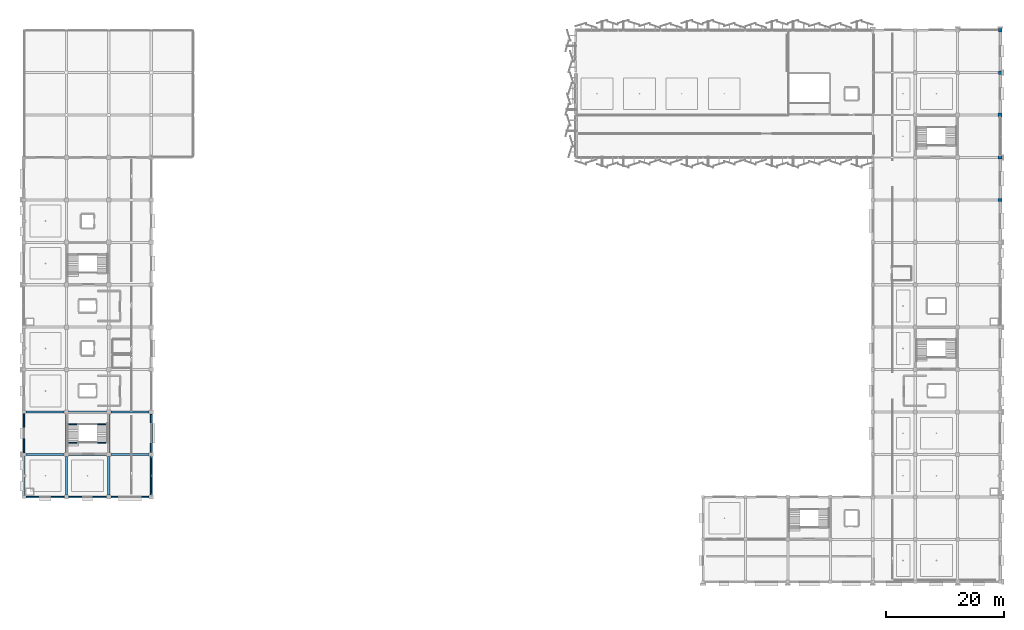
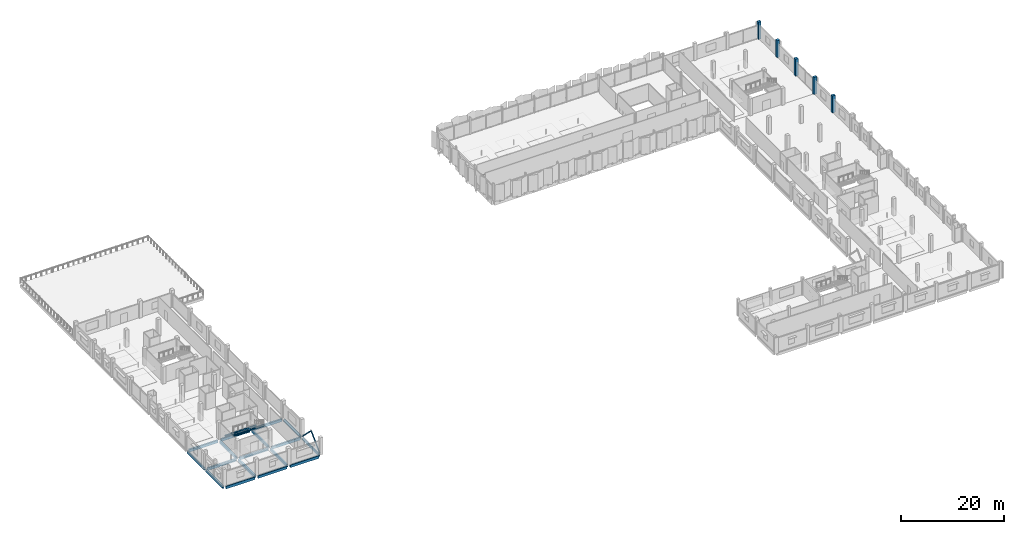
# One storey, part 8 of 77: 19 beams, 5 columns, 2 members.
"""IFC4 building model written with IfcOpenShell, lengths in metres."""

import ifcopenshell
import ifcopenshell.guid

model = None  # the IFC model being written
_history = None  # IfcOwnerHistory: only IFC2X3 demands one
_inside = {}  # id of a spatial element -> (the spatial element, [elements in it])
_under = {}  # id of a project, library or spatial element -> (it, [spatial elements below it])
_declared = {}  # id of a project -> (the project, [libraries it declares])
_typed = {}  # id of a type object -> (the type object, [elements of that type])
_made_of = {}  # id of a material, layer set ... -> (it, [elements and type objects made of it])


def new_model(schema):
    """Start an empty IFC model of exactly this schema.

    Asked for "IFC4X3", IfcOpenShell would pick the latest addendum, in which some entities
    have other attributes; the version numbers below select the first issue.
    IFC2X3 requires an IfcOwnerHistory on every rooted entity: one is made here for all.
    """
    global model, _history
    if schema == "IFC4X3":
        model = ifcopenshell.file(schema_version=(4, 3, 0, 0))
    else:
        model = ifcopenshell.file(schema=schema)
    _inside.clear()
    _under.clear()
    _declared.clear()
    _typed.clear()
    _made_of.clear()
    _history = None
    if model.schema == "IFC2X3":
        org = make("IfcOrganization", Name="unknown")
        user = make(
            "IfcPersonAndOrganization",
            ThePerson=make("IfcPerson", FamilyName="unknown"),
            TheOrganization=org,
        )
        app = make(
            "IfcApplication",
            ApplicationDeveloper=org,
            Version="unknown",
            ApplicationFullName="unknown",
            ApplicationIdentifier="unknown",
        )
        _history = make(
            "IfcOwnerHistory",
            OwningUser=user,
            OwningApplication=app,
            ChangeAction="ADDED",
            CreationDate=0,
        )
    return model


def make(cls, **values):
    """One entity of the class cls with the attributes given. An attribute that is None is left unset."""
    return model.create_entity(
        cls, **{name: value for name, value in values.items() if value is not None}
    )


def rooted(cls, **values):
    """An entity with a GlobalId (a new one), such as an element, a storey or a relation."""
    return make(cls, GlobalId=ifcopenshell.guid.new(), OwnerHistory=_history, **values)


def si_unit(unit_type, name, prefix=None):
    """IfcSIUnit, for example si_unit("LENGTHUNIT", "METRE", prefix="MILLI")."""
    return make("IfcSIUnit", UnitType=unit_type, Prefix=prefix, Name=name)


def assignment(units):
    """IfcUnitAssignment: the units of a project."""
    return None if units is None else make("IfcUnitAssignment", Units=units)


def point(xyz):
    """IfcCartesianPoint."""
    return None if xyz is None else make("IfcCartesianPoint", Coordinates=xyz)


def direction(xyz):
    """IfcDirection."""
    return None if xyz is None else make("IfcDirection", DirectionRatios=xyz)


def frame(location, z_axis=None, x_axis=None):
    """IfcAxis2Placement3D, a coordinate frame: its origin and axes. An axis left out is left unset."""
    return make(
        "IfcAxis2Placement3D",
        Location=point(location),
        Axis=direction(z_axis),
        RefDirection=direction(x_axis),
    )


def frame_2d(location, x_axis=None):
    """IfcAxis2Placement2D, a coordinate frame in the plane: its origin and x axis."""
    return make(
        "IfcAxis2Placement2D", Location=point(location), RefDirection=direction(x_axis)
    )


def origin():
    """The frame at (0, 0, 0) with its axes left unset."""
    return frame((0.0, 0.0, 0.0))


def origin_2d():
    """The frame at (0, 0) in the plane with its x axis left unset."""
    return frame_2d((0.0, 0.0))


def place(relative_to, where):
    """IfcLocalPlacement: puts the frame where relative to a parent placement (None: the world)."""
    return make(
        "IfcLocalPlacement", PlacementRelTo=relative_to, RelativePlacement=where
    )


def context(
    kind, dimensions, precision=None, world=None, true_north=None, identifier=None
):
    """IfcGeometricRepresentationContext, for example the 3D "Model" context."""
    return make(
        "IfcGeometricRepresentationContext",
        ContextIdentifier=identifier,
        ContextType=kind,
        CoordinateSpaceDimension=dimensions,
        Precision=precision,
        WorldCoordinateSystem=world,
        TrueNorth=true_north,
    )


def subcontext(parent, identifier, kind, view, scale=None):
    """IfcGeometricRepresentationSubContext, for example "Body" below "Model"."""
    return make(
        "IfcGeometricRepresentationSubContext",
        ContextIdentifier=identifier,
        ContextType=kind,
        ParentContext=parent,
        TargetScale=scale,
        TargetView=view,
    )


def project(units=None, contexts=None):
    """IfcProject with its units and contexts."""
    return rooted(
        "IfcProject",
        Name="project",
        RepresentationContexts=contexts,
        UnitsInContext=assignment(units),
    )


def spatial(cls, under=None, at=None, **own):
    """A site, building, storey or space (cls), placed at a placement, below another one or the project."""
    s = rooted(cls, ObjectPlacement=at, **own)
    if under is not None:
        _under.setdefault(under.id(), (under, []))[1].append(s)
    return s


def profile(cls, at=None, kind="AREA", **sizes):
    """A parametric profile (cls). Its sizes go by their IFC names, for example OverallWidth=200.0."""
    return make(cls, ProfileType=kind, Position=at, **sizes)


def rectangle(**sizes):
    """IfcRectangleProfileDef."""
    return profile("IfcRectangleProfileDef", **sizes)


def hollow_circle(**sizes):
    """IfcCircleHollowProfileDef."""
    return profile("IfcCircleHollowProfileDef", **sizes)


def extrude(swept, where, along, depth):
    """IfcExtrudedAreaSolid: the profile swept, set in the frame where, extruded along a direction by depth."""
    return make(
        "IfcExtrudedAreaSolid",
        SweptArea=swept,
        Position=where,
        ExtrudedDirection=direction(along),
        Depth=depth,
    )


def shape(context_of_items, identifier, shape_type, items):
    """IfcShapeRepresentation: the items that make up one representation, for example the "Body"."""
    return make(
        "IfcShapeRepresentation",
        ContextOfItems=context_of_items,
        RepresentationIdentifier=identifier,
        RepresentationType=shape_type,
        Items=items,
    )


def material(Name=None, Category=None):
    """IfcMaterial."""
    return make("IfcMaterial", Name=Name, Category=Category)


def material_profile(
    of_material, cross_section, Name=None, Category=None, Priority=None
):
    """IfcMaterialProfile: a cross section and its material."""
    return make(
        "IfcMaterialProfile",
        Name=Name,
        Material=of_material,
        Profile=cross_section,
        Priority=Priority,
        Category=Category,
    )


def profile_set(profiles, Name=None, composite=None):
    """IfcMaterialProfileSet."""
    return make(
        "IfcMaterialProfileSet",
        Name=Name,
        MaterialProfiles=profiles,
        CompositeProfile=composite,
    )


def made_of(thing, what):
    """Note that an element or type object is made of a material, layer set ...; save() writes the relation."""
    if what is not None:
        _made_of.setdefault(what.id(), (what, []))[1].append(thing)
    return thing


def type_object(cls, material=None, **own):
    """A type object (cls), such as IfcWallType, which elements share."""
    return made_of(rooted(cls, **own), material)


def element(
    cls,
    number,
    at=None,
    inside=None,
    cuts=None,
    type_object=None,
    material=None,
    context=None,
    identifier="Body",
    shape_type=None,
    held_by="IfcProductDefinitionShape",
    body=None,
    shapes=None,
    **own,
):
    """One element of the class cls, such as IfcWall. Its Tag is "e" and its number.

    at: its placement. inside: the storey or other place that contains it. cuts: it is an
    opening in that element (IfcRelVoidsElement). A single representation is given by context,
    identifier, shape_type and body (its items); several are given by shapes. held_by: the class
    of the entity that holds the representations. save() writes the other relations.
    """
    e = rooted(cls, Tag="e%d" % number, ObjectPlacement=at, **own)
    if body is not None:
        shapes = [shape(context, identifier, shape_type, body)]
    if shapes is not None:
        e.Representation = make(held_by, Representations=shapes)
    if inside is not None:
        _inside.setdefault(inside.id(), (inside, []))[1].append(e)
    if cuts is not None:
        rooted(
            "IfcRelVoidsElement", RelatingBuildingElement=cuts, RelatedOpeningElement=e
        )
    if type_object is not None:
        _typed.setdefault(type_object.id(), (type_object, []))[1].append(e)
    return made_of(e, material)


def aggregate(whole, parts):
    """IfcRelAggregates: a whole, such as a stair, and the parts it consists of."""
    return rooted("IfcRelAggregates", RelatingObject=whole, RelatedObjects=parts)


def save(model, path):
    """Write the relations noted so far, then the file.

    IfcRelAggregates (storeys below a building ...), IfcRelContainedInSpatialStructure (elements
    in a storey), IfcRelDefinesByType, IfcRelAssociatesMaterial and IfcRelDeclares: one each for
    every whole, place, type object, material and project.
    """
    for whole, parts in _under.values():
        aggregate(whole, parts)
    for where, things in _inside.values():
        rooted(
            "IfcRelContainedInSpatialStructure",
            RelatedElements=things,
            RelatingStructure=where,
        )
    for kind, things in _typed.values():
        rooted("IfcRelDefinesByType", RelatedObjects=things, RelatingType=kind)
    for what, things in _made_of.values():
        rooted("IfcRelAssociatesMaterial", RelatedObjects=things, RelatingMaterial=what)
    for by, libraries in _declared.values():
        rooted("IfcRelDeclares", RelatingContext=by, RelatedDefinitions=libraries)
    model.write(path)


model = new_model("IFC4")

# Units and contexts
model_context = context("Model", 3, precision=1e-05, world=origin(), true_north=direction((0.0, 1.0)))
body_context = subcontext(model_context, "Body", "Model", "MODEL_VIEW")
ifc_project = project(units=[si_unit("LENGTHUNIT", "METRE"), si_unit("AREAUNIT", "SQUARE_METRE"), si_unit("VOLUMEUNIT", "CUBIC_METRE"), si_unit("PLANEANGLEUNIT", "RADIAN"), si_unit("MASSUNIT", "GRAM", prefix="KILO")], contexts=[model_context])

# Site, building, storey
site_placement = place(None, origin())
site = spatial("IfcSite", under=ifc_project, at=site_placement, CompositionType="ELEMENT")
building_placement = place(site_placement, origin())
building = spatial("IfcBuilding", under=site, at=building_placement, Name="Kangsadwip Square Police Headquarters", CompositionType="ELEMENT")
storey_placement = place(building_placement, frame((0.0, 0.0, 17.550048828125)))
storey = spatial("IfcBuildingStorey", under=building, at=storey_placement, Name="L04", CompositionType="ELEMENT", Elevation=17.550048828125)

# Columns
ifc_material_1 = material(Name="Concrete M35 (35 MPa)", Category="concrete")
ifc_material_profile_1 = material_profile(ifc_material_1, rectangle(XDim=0.60009765625, YDim=0.60009765625, at=origin_2d()), Name="RC COL 600X600")
ifc_profile_set_1 = profile_set([ifc_material_profile_1], Name="Concrete M35 (35 MPa)")
column_type_1 = type_object("IfcColumnType", Name="RcCol600x600", PredefinedType="COLUMN", material=ifc_profile_set_1)
for number, where, z_axis, x_axis, name in (
    (1, (165.60009765625, 108.0, 0.0), (0.0, 0.0, 1.0), (1.0, 0.0, 0.0), "Column COL-L04-23-15"),
    (2, (165.60009765625, 115.199951171875, 0.0), (0.0, 0.0, 1.0), (1.0, 0.0, 0.0), "Column COL-L04-23-16"),
):
    element("IfcColumn", number, at=place(storey_placement, frame(where, z_axis=z_axis, x_axis=x_axis)), inside=storey, type_object=column_type_1, Name=name, PredefinedType="COLUMN", context=body_context, shape_type="SweptSolid", body=[
        extrude(rectangle(XDim=0.60009765625, YDim=0.60009765625, at=origin_2d()), origin(), (0.0, 0.0, 1.0), 4.050048828125),
    ])
ifc_material_2 = material(Name="Concrete M40 (40 MPa)", Category="concrete")
ifc_material_profile_2 = material_profile(ifc_material_2, rectangle(XDim=0.64990234375, YDim=0.64990234375, at=origin_2d()), Name="RC COL 650X650")
ifc_profile_set_2 = profile_set([ifc_material_profile_2], Name="Concrete M40 (40 MPa)")
column_type_2 = type_object("IfcColumnType", Name="RcCol650x650", PredefinedType="COLUMN", material=ifc_profile_set_2)
column_placement = place(storey_placement, frame((165.60009765625, 100.800048828125, 0.0), z_axis=(0.0, 0.0, 1.0), x_axis=(1.0, 0.0, 0.0)))
element("IfcColumn", 3, at=column_placement, inside=storey, type_object=column_type_2, Name="Column COL-L04-23-14", PredefinedType="COLUMN", context=body_context, shape_type="SweptSolid", body=[
    extrude(rectangle(XDim=0.64990234375, YDim=0.64990234375, at=origin_2d()), origin(), (0.0, 0.0, 1.0), 4.050048828125),
])
ifc_material_3 = material(Name="Concrete M35 (35 MPa)", Category="concrete")
ifc_material_profile_3 = material_profile(ifc_material_3, rectangle(XDim=0.5, YDim=0.699951171875, at=origin_2d()), Name="RC COL 700X500")
ifc_profile_set_3 = profile_set([ifc_material_profile_3], Name="Concrete M35 (35 MPa)")
column_type_3 = type_object("IfcColumnType", Name="RcCol700x500", PredefinedType="COLUMN", material=ifc_profile_set_3)
for number, where, z_axis, x_axis, name in (
    (4, (165.60009765625, 86.39990234375, 0.0), (0.0, 0.0, 1.0), (0.0, 1.0, 0.0), "Column COL-L04-23-12"),
    (5, (165.60009765625, 93.60009765625, 0.0), (0.0, 0.0, 1.0), (0.0, 1.0, 0.0), "Column COL-L04-23-13"),
):
    element("IfcColumn", number, at=place(storey_placement, frame(where, z_axis=z_axis, x_axis=x_axis)), inside=storey, type_object=column_type_3, Name=name, PredefinedType="COLUMN", context=body_context, shape_type="SweptSolid", body=[
        extrude(rectangle(XDim=0.5, YDim=0.699951171875, at=origin_2d()), origin(), (0.0, 0.0, 1.0), 4.050048828125),
    ])

# Beams
ifc_material_4 = material(Name="Concrete M35 (35 MPa)", Category="concrete")
ifc_material_profile_4 = material_profile(ifc_material_4, rectangle(XDim=0.35009765625, YDim=0.60009765625, at=origin_2d()), Name="RC BM 600X350")
ifc_profile_set_4 = profile_set([ifc_material_profile_4], Name="Concrete M35 (35 MPa)")
beam_type_1 = type_object("IfcBeamType", Name="RcBeam600x350", PredefinedType="BEAM", material=ifc_profile_set_4)
beam_1_placement = place(storey_placement, frame((0.39990234375, 43.199951171875, -0.5400390625), z_axis=(1.0, 0.0, 0.0), x_axis=(0.0, 1.0, 0.0)))
element("IfcBeam", 6, at=beam_1_placement, inside=storey, type_object=beam_type_1, Name="Beam BM-L04-X-00-06", PredefinedType="BEAM", context=body_context, shape_type="SweptSolid", body=[
    extrude(rectangle(XDim=0.35009765625, YDim=0.60009765625, at=origin_2d()), origin(), (0.0, 0.0, 1.0), 6.425048828125),
])
beam_2_placement = place(storey_placement, frame((7.574951171875, 43.199951171875, -0.5400390625), z_axis=(1.0, 0.0, 0.0), x_axis=(0.0, 1.0, 0.0)))
element("IfcBeam", 7, at=beam_2_placement, inside=storey, type_object=beam_type_1, Name="Beam BM-L04-X-01-06", PredefinedType="BEAM", context=body_context, shape_type="SweptSolid", body=[
    extrude(rectangle(XDim=0.35009765625, YDim=0.60009765625, at=origin_2d()), origin(), (0.0, 0.0, 1.0), 6.449951171875),
])
beam_3_placement = place(storey_placement, frame((14.77490234375, 43.199951171875, -0.5400390625), z_axis=(1.0, 0.0, 0.0), x_axis=(0.0, 1.0, 0.0)))
element("IfcBeam", 8, at=beam_3_placement, inside=storey, type_object=beam_type_1, Name="Beam BM-L04-X-02-06", PredefinedType="BEAM", context=body_context, shape_type="SweptSolid", body=[
    extrude(rectangle(XDim=0.35009765625, YDim=0.60009765625, at=origin_2d()), origin(), (0.0, 0.0, 1.0), 6.4501953125),
])
beam_4_placement = place(storey_placement, frame((0.39990234375, 50.39990234375, -0.5400390625), z_axis=(1.0, 0.0, 0.0), x_axis=(0.0, 1.0, 0.0)))
element("IfcBeam", 9, at=beam_4_placement, inside=storey, type_object=beam_type_1, Name="Beam BM-L04-X-00-07", PredefinedType="BEAM", context=body_context, shape_type="SweptSolid", body=[
    extrude(rectangle(XDim=0.35009765625, YDim=0.60009765625, at=origin_2d()), origin(), (0.0, 0.0, 1.0), 6.425048828125),
])
beam_5_placement = place(storey_placement, frame((7.574951171875, 50.39990234375, -0.5400390625), z_axis=(1.0, 0.0, 0.0), x_axis=(0.0, 1.0, 0.0)))
element("IfcBeam", 10, at=beam_5_placement, inside=storey, type_object=beam_type_1, Name="Beam BM-L04-X-01-07", PredefinedType="BEAM", context=body_context, shape_type="SweptSolid", body=[
    extrude(rectangle(XDim=0.35009765625, YDim=0.60009765625, at=origin_2d()), origin(), (0.0, 0.0, 1.0), 6.449951171875),
])
beam_6_placement = place(storey_placement, frame((14.77490234375, 50.39990234375, -0.5400390625), z_axis=(1.0, 0.0, 0.0), x_axis=(0.0, 1.0, 0.0)))
element("IfcBeam", 11, at=beam_6_placement, inside=storey, type_object=beam_type_1, Name="Beam BM-L04-X-02-07", PredefinedType="BEAM", context=body_context, shape_type="SweptSolid", body=[
    extrude(rectangle(XDim=0.35009765625, YDim=0.60009765625, at=origin_2d()), origin(), (0.0, 0.0, 1.0), 6.4501953125),
])
for number, where, z_axis, x_axis, name in (
    (12, (7.199951171875, 36.375, -0.5400390625), (0.0, 1.0, 0.0), (-1.0, 0.0, 0.0), "Beam BM-L04-Y-01-05"),
    (13, (7.199951171875, 43.574951171875, -0.5400390625), (0.0, 1.0, 0.0), (-1.0, 0.0, 0.0), "Beam BM-L04-Y-01-06"),
    (14, (14.39990234375, 36.375, -0.5400390625), (0.0, 1.0, 0.0), (-1.0, 0.0, 0.0), "Beam BM-L04-Y-02-05"),
    (15, (14.39990234375, 43.574951171875, -0.5400390625), (0.0, 1.0, 0.0), (-1.0, 0.0, 0.0), "Beam BM-L04-Y-02-06"),
):
    element("IfcBeam", number, at=place(storey_placement, frame(where, z_axis=z_axis, x_axis=x_axis)), inside=storey, type_object=beam_type_1, Name=name, PredefinedType="BEAM", context=body_context, shape_type="SweptSolid", body=[
        extrude(rectangle(XDim=0.35009765625, YDim=0.60009765625, at=origin_2d()), origin(), (0.0, 0.0, 1.0), 6.449951171875),
    ])
ifc_material_5 = material(Name="Concrete M30 (30 MPa)", Category="concrete")
ifc_material_profile_5 = material_profile(ifc_material_5, rectangle(XDim=0.199951171875, YDim=0.25, at=origin_2d()), Name="RC LNT 250X200")
ifc_profile_set_5 = profile_set([ifc_material_profile_5], Name="Concrete M30 (30 MPa)")
beam_type_2 = type_object("IfcBeamType", Name="RcLintel250x200", PredefinedType="LINTEL", material=ifc_profile_set_5)
for number, where, z_axis, x_axis, name in (
    (16, (7.300048828125, 48.340087890625, 1.801025390625), (1.0, 0.0, 0.0), (0.0, 1.0, 0.0), "Stair Carriage and Landing Beam BM-ST-L04-012"),
    (17, (7.300048828125, 45.219970703125, 3.704833984375), (1.0, 0.0, 0.0), (0.0, 1.0, 0.0), "Stair Carriage and Landing Beam BM-ST-L04-013"),
):
    element("IfcBeam", number, at=place(storey_placement, frame(where, z_axis=z_axis, x_axis=x_axis)), inside=storey, type_object=beam_type_2, Name=name, PredefinedType="BEAM", context=body_context, shape_type="SweptSolid", body=[
        extrude(rectangle(XDim=0.199951171875, YDim=0.25, at=origin_2d()), origin(), (0.0, 0.0, 1.0), 7.0),
    ])
ifc_material_6 = material(Name="Concrete M40 (40 MPa)", Category="concrete")
ifc_material_profile_6 = material_profile(ifc_material_6, rectangle(XDim=0.280029296875, YDim=0.60009765625, at=origin_2d()), Name="RC SPN 600X280")
ifc_profile_set_6 = profile_set([ifc_material_profile_6], Name="Concrete M40 (40 MPa)")
beam_type_3 = type_object("IfcBeamType", Name="RcSpandrel600x280", PredefinedType="SPANDREL", material=ifc_profile_set_6)
beam_7_placement = place(storey_placement, frame((0.39990234375, 36.0, -0.5400390625), z_axis=(1.0, 0.0, 0.0), x_axis=(0.0, 1.0, 0.0)))
element("IfcBeam", 18, at=beam_7_placement, inside=storey, type_object=beam_type_3, Name="Beam BM-L04-X-00-05", PredefinedType="SPANDREL", context=body_context, shape_type="SweptSolid", body=[
    extrude(rectangle(XDim=0.280029296875, YDim=0.60009765625, at=origin_2d()), origin(), (0.0, 0.0, 1.0), 6.425048828125),
])
beam_8_placement = place(storey_placement, frame((7.574951171875, 36.0, -0.5400390625), z_axis=(1.0, 0.0, 0.0), x_axis=(0.0, 1.0, 0.0)))
element("IfcBeam", 19, at=beam_8_placement, inside=storey, type_object=beam_type_3, Name="Beam BM-L04-X-01-05", PredefinedType="SPANDREL", context=body_context, shape_type="SweptSolid", body=[
    extrude(rectangle(XDim=0.280029296875, YDim=0.60009765625, at=origin_2d()), origin(), (0.0, 0.0, 1.0), 6.449951171875),
])
beam_9_placement = place(storey_placement, frame((14.77490234375, 36.0, -0.5400390625), z_axis=(1.0, 0.0, 0.0), x_axis=(0.0, 1.0, 0.0)))
element("IfcBeam", 20, at=beam_9_placement, inside=storey, type_object=beam_type_3, Name="Beam BM-L04-X-02-05", PredefinedType="SPANDREL", context=body_context, shape_type="SweptSolid", body=[
    extrude(rectangle(XDim=0.280029296875, YDim=0.60009765625, at=origin_2d()), origin(), (0.0, 0.0, 1.0), 6.4501953125),
])
beam_10_placement = place(storey_placement, frame((0.0, 36.300048828125, -0.5400390625), z_axis=(0.0, 1.0, 0.0), x_axis=(-1.0, 0.0, 0.0)))
element("IfcBeam", 21, at=beam_10_placement, inside=storey, type_object=beam_type_3, Name="Beam BM-L04-Y-00-05", PredefinedType="SPANDREL", context=body_context, shape_type="SweptSolid", body=[
    extrude(rectangle(XDim=0.280029296875, YDim=0.60009765625, at=origin_2d()), origin(), (0.0, 0.0, 1.0), 6.599853515625),
])
beam_11_placement = place(storey_placement, frame((0.0, 43.5, -0.5400390625), z_axis=(0.0, 1.0, 0.0), x_axis=(-1.0, 0.0, 0.0)))
element("IfcBeam", 22, at=beam_11_placement, inside=storey, type_object=beam_type_3, Name="Beam BM-L04-Y-00-06", PredefinedType="SPANDREL", context=body_context, shape_type="SweptSolid", body=[
    extrude(rectangle(XDim=0.280029296875, YDim=0.60009765625, at=origin_2d()), origin(), (0.0, 0.0, 1.0), 6.60009765625),
])
for number, where, z_axis, x_axis, name in (
    (23, (21.60009765625, 36.375, -0.5400390625), (0.0, 1.0, 0.0), (-1.0, 0.0, 0.0), "Beam BM-L04-Y-03-05"),
    (24, (21.60009765625, 43.574951171875, -0.5400390625), (0.0, 1.0, 0.0), (-1.0, 0.0, 0.0), "Beam BM-L04-Y-03-06"),
):
    element("IfcBeam", number, at=place(storey_placement, frame(where, z_axis=z_axis, x_axis=x_axis)), inside=storey, type_object=beam_type_3, Name=name, PredefinedType="SPANDREL", context=body_context, shape_type="SweptSolid", body=[
        extrude(rectangle(XDim=0.280029296875, YDim=0.60009765625, at=origin_2d()), origin(), (0.0, 0.0, 1.0), 6.449951171875),
    ])

# Members
ifc_material_7 = material(Name="Structural steel IS 2062 E350 (Grade 350, 350 MPa)", Category="steel")
ifc_material_profile_7 = material_profile(ifc_material_7, hollow_circle(Radius=0.136474609375, WallThickness=0.010009765625, at=origin_2d()), Name="CHS 273X10")
ifc_profile_set_7 = profile_set([ifc_material_profile_7], Name="Structural steel IS 2062 E350 (Grade 350, 350 MPa)")
member_type = type_object("IfcMemberType", Name="TrussBraceChs273", PredefinedType="BRACE", material=ifc_profile_set_7)
member_1_placement = place(storey_placement, frame((21.60009765625, 36.300048828125, 0.0), z_axis=(0.0, 0.706035191316, 0.708176749564), x_axis=(-1.0, 0.0, 0.0)))
element("IfcMember", 25, at=member_1_placement, inside=storey, type_object=member_type, Name="Truss Member MEM-L04-0278", PredefinedType="BRACE", context=body_context, shape_type="SweptSolid", body=[
    extrude(hollow_circle(Radius=0.136474609375, WallThickness=0.010009765625, at=origin_2d()), origin(), (0.0, 0.0, 1.0), 4.674072265625),
])
member_2_placement = place(storey_placement, frame((21.60009765625, 42.89990234375, 0.0), z_axis=(0.0, -0.706008994206, 0.708202866487), x_axis=(1.0, 0.0, 0.0)))
element("IfcMember", 26, at=member_2_placement, inside=storey, type_object=member_type, Name="Truss Member MEM-L04-0279", PredefinedType="BRACE", context=body_context, shape_type="SweptSolid", body=[
    extrude(hollow_circle(Radius=0.136474609375, WallThickness=0.010009765625, at=origin_2d()), origin(), (0.0, 0.0, 1.0), 4.673828125),
])

save(model, "model.ifc")
